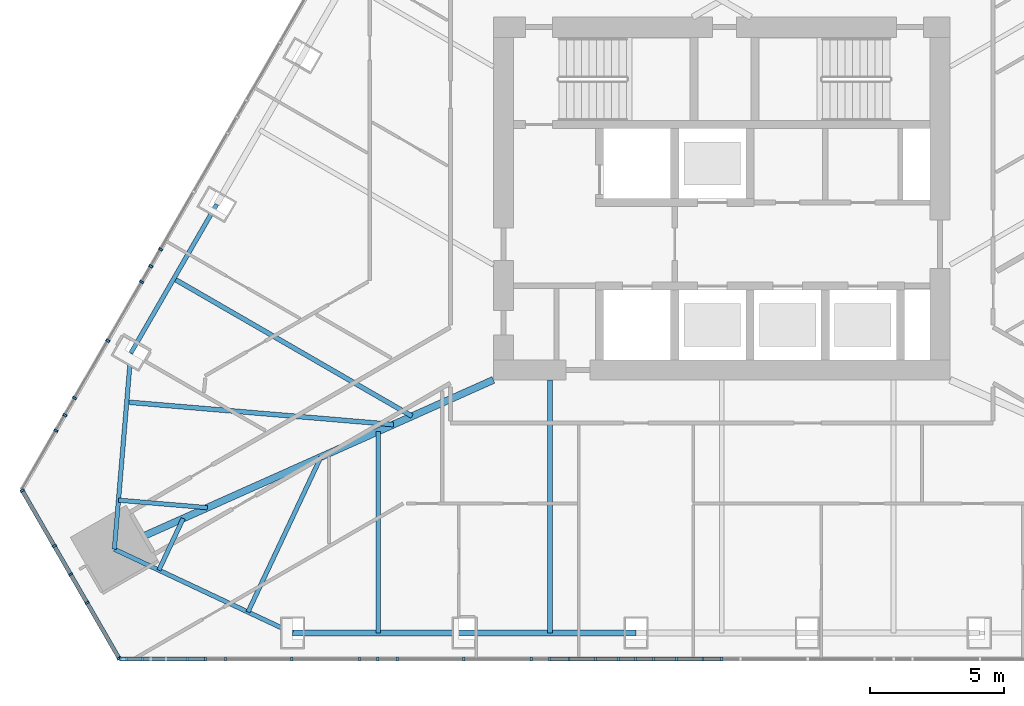
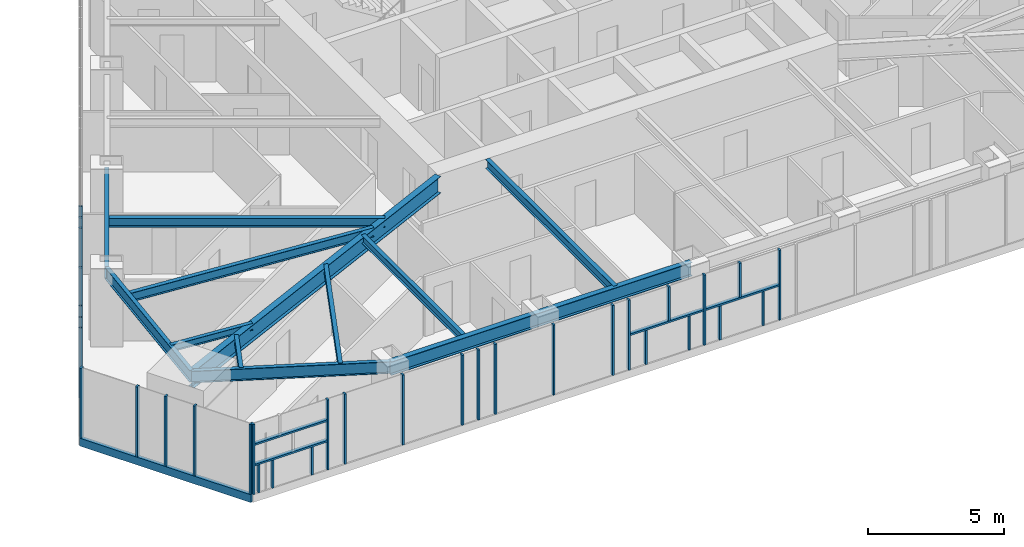
# One storey, part 2 of 26: 38 members, 12 beams, 3 elements without a shape of their own.
"""IFC4 building model written with IfcOpenShell, lengths in metres."""

from ifc_helpers import new_model, si_unit, direction, frame, origin, origin_2d, place, context, subcontext, project, spatial, rectangle, i_section, extrude, material, layer, layer_set, material_profile, profile_set, type_object, element, aggregate, save


model = new_model("IFC4")

# Units and contexts
model_context = context("Model", 3, precision=1e-05, world=origin(), true_north=direction((0.0, 1.0)))
body_context = subcontext(model_context, "Body", "Model", "MODEL_VIEW")
ifc_project = project(units=[si_unit("LENGTHUNIT", "METRE"), si_unit("AREAUNIT", "SQUARE_METRE"), si_unit("VOLUMEUNIT", "CUBIC_METRE"), si_unit("PLANEANGLEUNIT", "RADIAN"), si_unit("MASSUNIT", "GRAM", prefix="KILO")], contexts=[model_context])

# Site, building, storey
site_placement = place(None, origin())
site = spatial("IfcSite", under=ifc_project, at=site_placement, CompositionType="ELEMENT")
building_placement = place(site_placement, origin())
building = spatial("IfcBuilding", under=site, at=building_placement, Name="Firuza Gate Tower and Library", CompositionType="ELEMENT")
storey_placement = place(building_placement, frame((0.0, 0.0, 288.10009765625)))
storey = spatial("IfcBuildingStorey", under=building, at=storey_placement, Name="L69", CompositionType="ELEMENT", Elevation=288.10009765625)

# Curtain wall, members
ifc_material_1 = material(Name="Aluminium 6063-T6", Category="aluminium")
ifc_layer_1 = layer(ifc_material_1, 0.14990234375)
ifc_layer_set_1 = layer_set([ifc_layer_1], Name="Unitised curtain wall, residences")
curtain_wall_type_1 = type_object("IfcCurtainWallType", Name="Unitised curtain wall, residences", PredefinedType="NOTDEFINED", material=ifc_layer_set_1)
placement = place(storey_placement, origin())
curtain_wall_1 = element("IfcCurtainWall", 1, at=placement, inside=storey, type_object=curtain_wall_type_1, Name="CW3 L69 S face", PredefinedType="NOTDEFINED")
ifc_material_2 = material(Name="Aluminium 6063-T6", Category="aluminium")
ifc_material_profile_1 = material_profile(ifc_material_2, rectangle(XDim=0.14990234375, YDim=0.080078125, at=origin_2d()))
ifc_profile_set_1 = profile_set([ifc_material_profile_1], Name="Aluminium 6063-T6")
member_type_1 = type_object("IfcMemberType", Name="Curtain wall mullion 80x150", PredefinedType="MULLION", material=ifc_profile_set_1)
member_1_placement = place(storey_placement, frame((52.634033203125, 57.85693359375, 0.14990234375), z_axis=(0.0, 0.0, 1.0), x_axis=(0.0, 1.0, 0.0)))
member_1 = element("IfcMember", 2, at=member_1_placement, type_object=member_type_1, Name="Mullion", PredefinedType="MULLION", context=body_context, shape_type="SweptSolid", body=[
    extrude(rectangle(XDim=0.14990234375, YDim=0.080078125, at=origin_2d()), origin(), (0.0, 0.0, 1.0), 3.14990234375),
])
member_2_placement = place(storey_placement, frame((55.794921875, 57.85693359375, 0.14990234375), z_axis=(0.0, 0.0, 1.0), x_axis=(0.0, 1.0, 0.0)))
member_2 = element("IfcMember", 3, at=member_2_placement, type_object=member_type_1, Name="Mullion", PredefinedType="MULLION", context=body_context, shape_type="SweptSolid", body=[
    extrude(rectangle(XDim=0.14990234375, YDim=0.080078125, at=origin_2d()), origin(), (0.0, 0.0, 1.0), 3.14990234375),
])
member_3_placement = place(storey_placement, frame((58.995849609375, 57.85693359375, 0.14990234375), z_axis=(0.0, 0.0, 1.0), x_axis=(0.0, 1.0, 0.0)))
member_3 = element("IfcMember", 4, at=member_3_placement, type_object=member_type_1, Name="Mullion", PredefinedType="MULLION", context=body_context, shape_type="SweptSolid", body=[
    extrude(rectangle(XDim=0.14990234375, YDim=0.080078125, at=origin_2d()), origin(), (0.0, 0.0, 1.0), 3.14990234375),
])
member_4_placement = place(storey_placement, frame((62.196533203125, 57.85693359375, 0.14990234375), z_axis=(0.0, 0.0, 1.0), x_axis=(0.0, 1.0, 0.0)))
member_4 = element("IfcMember", 5, at=member_4_placement, type_object=member_type_1, Name="Mullion", PredefinedType="MULLION", context=body_context, shape_type="SweptSolid", body=[
    extrude(rectangle(XDim=0.14990234375, YDim=0.080078125, at=origin_2d()), origin(), (0.0, 0.0, 1.0), 3.14990234375),
])
member_5_placement = place(storey_placement, frame((65.3974609375, 57.85693359375, 0.14990234375), z_axis=(0.0, 0.0, 1.0), x_axis=(0.0, 1.0, 0.0)))
member_5 = element("IfcMember", 6, at=member_5_placement, type_object=member_type_1, Name="Mullion", PredefinedType="MULLION", context=body_context, shape_type="SweptSolid", body=[
    extrude(rectangle(XDim=0.14990234375, YDim=0.080078125, at=origin_2d()), origin(), (0.0, 0.0, 1.0), 3.14990234375),
])
member_6_placement = place(storey_placement, frame((68.598388671875, 57.85693359375, 0.14990234375), z_axis=(0.0, 0.0, 1.0), x_axis=(0.0, 1.0, 0.0)))
member_6 = element("IfcMember", 7, at=member_6_placement, type_object=member_type_1, Name="Mullion", PredefinedType="MULLION", context=body_context, shape_type="SweptSolid", body=[
    extrude(rectangle(XDim=0.14990234375, YDim=0.080078125, at=origin_2d()), origin(), (0.0, 0.0, 1.0), 3.14990234375),
])
member_7_placement = place(storey_placement, frame((71.799072265625, 57.85693359375, 0.14990234375), z_axis=(0.0, 0.0, 1.0), x_axis=(0.0, 1.0, 0.0)))
member_7 = element("IfcMember", 8, at=member_7_placement, type_object=member_type_1, Name="Mullion", PredefinedType="MULLION", context=body_context, shape_type="SweptSolid", body=[
    extrude(rectangle(XDim=0.14990234375, YDim=0.080078125, at=origin_2d()), origin(), (0.0, 0.0, 1.0), 3.14990234375),
])
member_8_placement = place(storey_placement, frame((75.0, 57.85693359375, 0.14990234375), z_axis=(0.0, 0.0, 1.0), x_axis=(0.0, 1.0, 0.0)))
member_8 = element("IfcMember", 9, at=member_8_placement, type_object=member_type_1, Name="Mullion", PredefinedType="MULLION", context=body_context, shape_type="SweptSolid", body=[
    extrude(rectangle(XDim=0.14990234375, YDim=0.080078125, at=origin_2d()), origin(), (0.0, 0.0, 1.0), 3.14990234375),
])
member_9_placement = place(storey_placement, frame((52.860107421875, 57.85693359375, 0.14990234375), z_axis=(0.0, 0.0, 1.0), x_axis=(0.0, 1.0, 0.0)))
member_9 = element("IfcMember", 10, at=member_9_placement, type_object=member_type_1, Name="Mullion", PredefinedType="MULLION", context=body_context, shape_type="SweptSolid", body=[
    extrude(rectangle(XDim=0.14990234375, YDim=0.080078125, at=origin_2d()), origin(), (0.0, 0.0, 1.0), 1.260009765625),
])
member_10_placement = place(storey_placement, frame((53.454345703125, 57.85693359375, 0.14990234375), z_axis=(0.0, 0.0, 1.0), x_axis=(0.0, 1.0, 0.0)))
member_10 = element("IfcMember", 11, at=member_10_placement, type_object=member_type_1, Name="Mullion", PredefinedType="MULLION", context=body_context, shape_type="SweptSolid", body=[
    extrude(rectangle(XDim=0.14990234375, YDim=0.080078125, at=origin_2d()), origin(), (0.0, 0.0, 1.0), 1.260009765625),
])
member_11_placement = place(storey_placement, frame((55.130615234375, 57.85693359375, 0.14990234375), z_axis=(0.0, 0.0, 1.0), x_axis=(0.0, 1.0, 0.0)))
member_11 = element("IfcMember", 12, at=member_11_placement, type_object=member_type_1, Name="Mullion", PredefinedType="MULLION", context=body_context, shape_type="SweptSolid", body=[
    extrude(rectangle(XDim=0.14990234375, YDim=0.080078125, at=origin_2d()), origin(), (0.0, 0.0, 1.0), 1.260009765625),
])
member_12_placement = place(storey_placement, frame((56.533447265625, 57.85693359375, 0.14990234375), z_axis=(0.0, 0.0, 1.0), x_axis=(0.0, 1.0, 0.0)))
member_12 = element("IfcMember", 13, at=member_12_placement, type_object=member_type_1, Name="Mullion", PredefinedType="MULLION", context=body_context, shape_type="SweptSolid", body=[
    extrude(rectangle(XDim=0.14990234375, YDim=0.080078125, at=origin_2d()), origin(), (0.0, 0.0, 1.0), 3.14990234375),
])
member_13_placement = place(storey_placement, frame((61.519775390625, 57.85693359375, 0.14990234375), z_axis=(0.0, 0.0, 1.0), x_axis=(0.0, 1.0, 0.0)))
member_13 = element("IfcMember", 14, at=member_13_placement, type_object=member_type_1, Name="Mullion", PredefinedType="MULLION", context=body_context, shape_type="SweptSolid", body=[
    extrude(rectangle(XDim=0.14990234375, YDim=0.080078125, at=origin_2d()), origin(), (0.0, 0.0, 1.0), 3.14990234375),
])
member_14_placement = place(storey_placement, frame((62.9228515625, 57.85693359375, 0.14990234375), z_axis=(0.0, 0.0, 1.0), x_axis=(0.0, 1.0, 0.0)))
member_14 = element("IfcMember", 15, at=member_14_placement, type_object=member_type_1, Name="Mullion", PredefinedType="MULLION", context=body_context, shape_type="SweptSolid", body=[
    extrude(rectangle(XDim=0.14990234375, YDim=0.080078125, at=origin_2d()), origin(), (0.0, 0.0, 1.0), 3.14990234375),
])
member_15_placement = place(storey_placement, frame((67.9091796875, 57.85693359375, 0.14990234375), z_axis=(0.0, 0.0, 1.0), x_axis=(0.0, 1.0, 0.0)))
member_15 = element("IfcMember", 16, at=member_15_placement, type_object=member_type_1, Name="Mullion", PredefinedType="MULLION", context=body_context, shape_type="SweptSolid", body=[
    extrude(rectangle(XDim=0.14990234375, YDim=0.080078125, at=origin_2d()), origin(), (0.0, 0.0, 1.0), 3.14990234375),
])
member_16_placement = place(storey_placement, frame((69.31201171875, 57.85693359375, 0.14990234375), z_axis=(0.0, 0.0, 1.0), x_axis=(0.0, 1.0, 0.0)))
member_16 = element("IfcMember", 17, at=member_16_placement, type_object=member_type_1, Name="Mullion", PredefinedType="MULLION", context=body_context, shape_type="SweptSolid", body=[
    extrude(rectangle(XDim=0.14990234375, YDim=0.080078125, at=origin_2d()), origin(), (0.0, 0.0, 1.0), 1.534912109375),
])
member_17_placement = place(storey_placement, frame((71.155517578125, 57.85693359375, 0.14990234375), z_axis=(0.0, 0.0, 1.0), x_axis=(0.0, 1.0, 0.0)))
member_17 = element("IfcMember", 18, at=member_17_placement, type_object=member_type_1, Name="Mullion", PredefinedType="MULLION", context=body_context, shape_type="SweptSolid", body=[
    extrude(rectangle(XDim=0.14990234375, YDim=0.080078125, at=origin_2d()), origin(), (0.0, 0.0, 1.0), 1.534912109375),
])
member_18_placement = place(storey_placement, frame((70.294921875, 57.85693359375, 1.764892578125), z_axis=(0.0, 0.0, 1.0), x_axis=(0.0, 1.0, 0.0)))
member_18 = element("IfcMember", 19, at=member_18_placement, type_object=member_type_1, Name="Mullion", PredefinedType="MULLION", context=body_context, shape_type="SweptSolid", body=[
    extrude(rectangle(XDim=0.14990234375, YDim=0.080078125, at=origin_2d()), origin(), (0.0, 0.0, 1.0), 1.534912109375),
])
member_19_placement = place(storey_placement, frame((72.455078125, 57.85693359375, 0.14990234375), z_axis=(0.0, 0.0, 1.0), x_axis=(0.0, 1.0, 0.0)))
member_19 = element("IfcMember", 20, at=member_19_placement, type_object=member_type_1, Name="Mullion", PredefinedType="MULLION", context=body_context, shape_type="SweptSolid", body=[
    extrude(rectangle(XDim=0.14990234375, YDim=0.080078125, at=origin_2d()), origin(), (0.0, 0.0, 1.0), 1.534912109375),
])
member_20_placement = place(storey_placement, frame((74.298583984375, 57.85693359375, 0.14990234375), z_axis=(0.0, 0.0, 1.0), x_axis=(0.0, 1.0, 0.0)))
member_20 = element("IfcMember", 21, at=member_20_placement, type_object=member_type_1, Name="Mullion", PredefinedType="MULLION", context=body_context, shape_type="SweptSolid", body=[
    extrude(rectangle(XDim=0.14990234375, YDim=0.080078125, at=origin_2d()), origin(), (0.0, 0.0, 1.0), 1.534912109375),
])
member_21_placement = place(storey_placement, frame((73.31591796875, 57.85693359375, 1.764892578125), z_axis=(0.0, 0.0, 1.0), x_axis=(0.0, 1.0, 0.0)))
member_21 = element("IfcMember", 22, at=member_21_placement, type_object=member_type_1, Name="Mullion", PredefinedType="MULLION", context=body_context, shape_type="SweptSolid", body=[
    extrude(rectangle(XDim=0.14990234375, YDim=0.080078125, at=origin_2d()), origin(), (0.0, 0.0, 1.0), 1.534912109375),
])

curtain_wall_2 = element("IfcCurtainWall", 23, at=placement, inside=storey, type_object=curtain_wall_type_1, Name="CW3 L69 W face", PredefinedType="NOTDEFINED")
member_22_placement = place(storey_placement, frame((53.751953125, 72.4833984375, 0.14990234375), z_axis=(0.0, 0.0, 1.0), x_axis=(0.866025403784, -0.5, 0.0)))
member_22 = element("IfcMember", 24, at=member_22_placement, type_object=member_type_1, Name="Mullion", PredefinedType="MULLION", context=body_context, shape_type="SweptSolid", body=[
    extrude(rectangle(XDim=0.14990234375, YDim=0.080078125, at=origin_2d()), origin(), (0.0, 0.0, 1.0), 3.14990234375),
])
member_23_placement = place(storey_placement, frame((52.151611328125, 69.71142578125, 0.14990234375), z_axis=(0.0, 0.0, 1.0), x_axis=(0.866025403784, -0.5, 0.0)))
member_23 = element("IfcMember", 25, at=member_23_placement, type_object=member_type_1, Name="Mullion", PredefinedType="MULLION", context=body_context, shape_type="SweptSolid", body=[
    extrude(rectangle(XDim=0.14990234375, YDim=0.080078125, at=origin_2d()), origin(), (0.0, 0.0, 1.0), 3.14990234375),
])
member_24_placement = place(storey_placement, frame((50.55126953125, 66.939453125, 0.14990234375), z_axis=(0.0, 0.0, 1.0), x_axis=(0.866025403784, -0.5, 0.0)))
member_24 = element("IfcMember", 26, at=member_24_placement, type_object=member_type_1, Name="Mullion", PredefinedType="MULLION", context=body_context, shape_type="SweptSolid", body=[
    extrude(rectangle(XDim=0.14990234375, YDim=0.080078125, at=origin_2d()), origin(), (0.0, 0.0, 1.0), 3.14990234375),
])
member_25_placement = place(storey_placement, frame((54.114990234375, 73.1123046875, 0.14990234375), z_axis=(0.0, 0.0, 1.0), x_axis=(0.866025403784, -0.5, 0.0)))
member_25 = element("IfcMember", 27, at=member_25_placement, type_object=member_type_1, Name="Mullion", PredefinedType="MULLION", context=body_context, shape_type="SweptSolid", body=[
    extrude(rectangle(XDim=0.14990234375, YDim=0.080078125, at=origin_2d()), origin(), (0.0, 0.0, 1.0), 3.14990234375),
])
member_26_placement = place(storey_placement, frame((53.41357421875, 71.8974609375, 0.14990234375), z_axis=(0.0, 0.0, 1.0), x_axis=(0.866025403784, -0.5, 0.0)))
member_26 = element("IfcMember", 28, at=member_26_placement, type_object=member_type_1, Name="Mullion", PredefinedType="MULLION", context=body_context, shape_type="SweptSolid", body=[
    extrude(rectangle(XDim=0.14990234375, YDim=0.080078125, at=origin_2d()), origin(), (0.0, 0.0, 1.0), 3.14990234375),
])
member_27_placement = place(storey_placement, frame((50.92041015625, 67.5791015625, 0.14990234375), z_axis=(0.0, 0.0, 1.0), x_axis=(0.866025403784, -0.5, 0.0)))
member_27 = element("IfcMember", 29, at=member_27_placement, type_object=member_type_1, Name="Mullion", PredefinedType="MULLION", context=body_context, shape_type="SweptSolid", body=[
    extrude(rectangle(XDim=0.14990234375, YDim=0.080078125, at=origin_2d()), origin(), (0.0, 0.0, 1.0), 3.14990234375),
])
member_28_placement = place(storey_placement, frame((50.218994140625, 66.364013671875, 0.14990234375), z_axis=(0.0, 0.0, 1.0), x_axis=(0.866025403784, -0.5, 0.0)))
member_28 = element("IfcMember", 30, at=member_28_placement, type_object=member_type_1, Name="Mullion", PredefinedType="MULLION", context=body_context, shape_type="SweptSolid", body=[
    extrude(rectangle(XDim=0.14990234375, YDim=0.080078125, at=origin_2d()), origin(), (0.0, 0.0, 1.0), 3.14990234375),
])
aggregate(curtain_wall_2, [member_22, member_23, member_24, member_25, member_26, member_27, member_28])

ifc_material_3 = material(Name="Aluminium 6063-T6", Category="aluminium")
ifc_layer_2 = layer(ifc_material_3, 0.14990234375)
ifc_layer_set_2 = layer_set([ifc_layer_2], Name="Corner curtain wall, chamfers")
curtain_wall_type_2 = type_object("IfcCurtainWallType", Name="Corner curtain wall, chamfers", PredefinedType="NOTDEFINED", material=ifc_layer_set_2)
curtain_wall_3 = element("IfcCurtainWall", 31, at=placement, inside=storey, type_object=curtain_wall_type_2, Name="CW4 L69 SW corner", PredefinedType="NOTDEFINED")
member_29_placement = place(storey_placement, frame((48.970703125, 64.1328125, 0.14990234375), z_axis=(0.0, 0.0, 1.0), x_axis=(0.866025403784, 0.5, 0.0)))
member_29 = element("IfcMember", 32, at=member_29_placement, type_object=member_type_1, Name="Mullion", PredefinedType="MULLION", context=body_context, shape_type="SweptSolid", body=[
    extrude(rectangle(XDim=0.14990234375, YDim=0.080078125, at=origin_2d()), origin(), (0.0, 0.0, 1.0), 3.14990234375),
])
member_30_placement = place(storey_placement, frame((50.7724609375, 61.01220703125, 0.14990234375), z_axis=(0.0, 0.0, 1.0), x_axis=(0.866025403784, 0.5, 0.0)))
member_30 = element("IfcMember", 33, at=member_30_placement, type_object=member_type_1, Name="Mullion", PredefinedType="MULLION", context=body_context, shape_type="SweptSolid", body=[
    extrude(rectangle(XDim=0.14990234375, YDim=0.080078125, at=origin_2d()), origin(), (0.0, 0.0, 1.0), 3.14990234375),
])
member_31_placement = place(storey_placement, frame((52.573974609375, 57.8916015625, 0.14990234375), z_axis=(0.0, 0.0, 1.0), x_axis=(0.866025403784, 0.5, 0.0)))
member_31 = element("IfcMember", 34, at=member_31_placement, type_object=member_type_1, Name="Mullion", PredefinedType="MULLION", context=body_context, shape_type="SweptSolid", body=[
    extrude(rectangle(XDim=0.14990234375, YDim=0.080078125, at=origin_2d()), origin(), (0.0, 0.0, 1.0), 3.14990234375),
])
member_32_placement = place(storey_placement, frame((50.161376953125, 62.070556640625, 0.14990234375), z_axis=(0.0, 0.0, 1.0), x_axis=(0.866025403784, 0.5, 0.0)))
member_32 = element("IfcMember", 35, at=member_32_placement, type_object=member_type_1, Name="Mullion", PredefinedType="MULLION", context=body_context, shape_type="SweptSolid", body=[
    extrude(rectangle(XDim=0.14990234375, YDim=0.080078125, at=origin_2d()), origin(), (0.0, 0.0, 1.0), 3.14990234375),
])
member_33_placement = place(storey_placement, frame((51.383544921875, 59.953857421875, 0.14990234375), z_axis=(0.0, 0.0, 1.0), x_axis=(0.866025403784, 0.5, 0.0)))
member_33 = element("IfcMember", 36, at=member_33_placement, type_object=member_type_1, Name="Mullion", PredefinedType="MULLION", context=body_context, shape_type="SweptSolid", body=[
    extrude(rectangle(XDim=0.14990234375, YDim=0.080078125, at=origin_2d()), origin(), (0.0, 0.0, 1.0), 3.14990234375),
])
ifc_material_4 = material(Name="Aluminium 6063-T6", Category="aluminium")
ifc_material_profile_2 = material_profile(ifc_material_4, rectangle(XDim=0.14990234375, YDim=0.35009765625, at=origin_2d()))
ifc_profile_set_2 = profile_set([ifc_material_profile_2], Name="Aluminium 6063-T6")
member_type_2 = type_object("IfcMemberType", Name="Curtain wall transom 350x150", PredefinedType="USERDEFINED", material=ifc_profile_set_2)
member_34_placement = place(storey_placement, frame((48.95068359375, 64.16748046875, -0.025146484375), z_axis=(0.499991211061, -0.866030478021, 0.0), x_axis=(0.866030478021, 0.499991211061, 0.0)))
member_34 = element("IfcMember", 37, at=member_34_placement, type_object=member_type_2, Name="Transom", ObjectType="TRANSOM", PredefinedType="USERDEFINED", context=body_context, shape_type="SweptSolid", body=[
    extrude(rectangle(XDim=0.14990234375, YDim=0.35009765625, at=origin_2d()), origin(), (0.0, 0.0, 1.0), 7.286865234375),
])
aggregate(curtain_wall_3, [member_29, member_30, member_31, member_34, member_32, member_33])

# Member
ifc_material_5 = material(Name="Aluminium 6063-T6", Category="aluminium")
ifc_material_profile_3 = material_profile(ifc_material_5, rectangle(XDim=0.14990234375, YDim=0.080078125, at=origin_2d()))
ifc_profile_set_3 = profile_set([ifc_material_profile_3], Name="Aluminium 6063-T6")
member_type_3 = type_object("IfcMemberType", Name="Curtain wall transom 80x150", PredefinedType="USERDEFINED", material=ifc_profile_set_3)
member_35_placement = place(storey_placement, frame((52.634033203125, 57.85693359375, 1.449951171875), z_axis=(1.0, 0.0, 0.0), x_axis=(0.0, 1.0, 0.0)))
member_35 = element("IfcMember", 38, at=member_35_placement, type_object=member_type_3, Name="Transom", ObjectType="TRANSOM", PredefinedType="USERDEFINED", context=body_context, shape_type="SweptSolid", body=[
    extrude(rectangle(XDim=0.14990234375, YDim=0.080078125, at=origin_2d()), origin(), (0.0, 0.0, 1.0), 3.120849609375),
])

member_36_placement = place(storey_placement, frame((52.634033203125, 57.85693359375, 2.375), z_axis=(1.0, 0.0, 0.0), x_axis=(0.0, 1.0, 0.0)))
member_36 = element("IfcMember", 39, at=member_36_placement, type_object=member_type_3, Name="Transom", ObjectType="TRANSOM", PredefinedType="USERDEFINED", context=body_context, shape_type="SweptSolid", body=[
    extrude(rectangle(XDim=0.14990234375, YDim=0.080078125, at=origin_2d()), origin(), (0.0, 0.0, 1.0), 3.120849609375),
])

member_37_placement = place(storey_placement, frame((68.63818359375, 57.85693359375, 1.724853515625), z_axis=(1.0, 0.0, 0.0), x_axis=(0.0, 1.0, 0.0)))
member_37 = element("IfcMember", 40, at=member_37_placement, type_object=member_type_3, Name="Transom", ObjectType="TRANSOM", PredefinedType="USERDEFINED", context=body_context, shape_type="SweptSolid", body=[
    extrude(rectangle(XDim=0.14990234375, YDim=0.080078125, at=origin_2d()), origin(), (0.0, 0.0, 1.0), 3.120849609375),
])

member_38_placement = place(storey_placement, frame((71.839111328125, 57.85693359375, 1.724853515625), z_axis=(1.0, 0.0, 0.0), x_axis=(0.0, 1.0, 0.0)))
member_38 = element("IfcMember", 41, at=member_38_placement, type_object=member_type_3, Name="Transom", ObjectType="TRANSOM", PredefinedType="USERDEFINED", context=body_context, shape_type="SweptSolid", body=[
    extrude(rectangle(XDim=0.14990234375, YDim=0.080078125, at=origin_2d()), origin(), (0.0, 0.0, 1.0), 3.120849609375),
])

aggregate(curtain_wall_1, [member_1, member_2, member_3, member_4, member_5, member_6, member_7, member_8, member_9, member_10, member_11, member_35, member_36, member_12, member_13, member_14, member_15, member_16, member_17, member_18, member_37, member_19, member_20, member_21, member_38])

# Beams
ifc_material_6 = material(Name="Steel S355", Category="steel")
ifc_material_profile_4 = material_profile(ifc_material_6, i_section(OverallWidth=0.1650390625, OverallDepth=0.31005859375, WebThickness=0.005859375, FlangeThickness=0.009765625, at=origin_2d()))
ifc_profile_set_4 = profile_set([ifc_material_profile_4], Name="Steel S355")
beam_type_1 = type_object("IfcBeamType", Name="W310x39 Floor beam", PredefinedType="JOIST", material=ifc_profile_set_4)
beam_1_placement = place(storey_placement, frame((52.550048828125, 63.77490234375, 3.14501953125), z_axis=(0.996467212931, -0.083982697946, 0.0), x_axis=(0.083982697946, 0.996467212931, 0.0)))
element("IfcBeam", 42, at=beam_1_placement, inside=storey, type_object=beam_type_1, Name="Floor beam L69 s01", PredefinedType="JOIST", context=body_context, shape_type="SweptSolid", body=[
    extrude(i_section(OverallWidth=0.1650390625, OverallDepth=0.31005859375, WebThickness=0.005859375, FlangeThickness=0.009765625, at=origin_2d()), origin(), (0.0, 0.0, 1.0), 3.31982421875),
])
beam_2_placement = place(storey_placement, frame((54.0537109375, 61.170166015625, 3.14501953125), z_axis=(0.425542647258, 0.904938371031, 0.0), x_axis=(-0.904938371031, 0.425542647258, 0.0)))
element("IfcBeam", 43, at=beam_2_placement, inside=storey, type_object=beam_type_1, Name="Floor beam L69 s10", PredefinedType="JOIST", context=body_context, shape_type="SweptSolid", body=[
    extrude(i_section(OverallWidth=0.1650390625, OverallDepth=0.31005859375, WebThickness=0.005859375, FlangeThickness=0.009765625, at=origin_2d()), origin(), (0.0, 0.0, 1.0), 2.126220703125),
])
beam_3_placement = place(storey_placement, frame((57.369140625, 59.611328125, 3.14501953125), z_axis=(0.425479956194, 0.904967848532, 0.0), x_axis=(-0.904967848532, 0.425479956194, 0.0)))
element("IfcBeam", 44, at=beam_3_placement, inside=storey, type_object=beam_type_1, Name="Floor beam L69 s11", PredefinedType="JOIST", context=body_context, shape_type="SweptSolid", body=[
    extrude(i_section(OverallWidth=0.1650390625, OverallDepth=0.31005859375, WebThickness=0.005859375, FlangeThickness=0.009765625, at=origin_2d()), origin(), (0.0, 0.0, 1.0), 6.37841796875),
])
ifc_material_7 = material(Name="Steel S355", Category="steel")
ifc_material_profile_5 = material_profile(ifc_material_7, i_section(OverallWidth=0.1708984375, OverallDepth=0.35498046875, WebThickness=0.007080078125, FlangeThickness=0.01171875, at=origin_2d()))
ifc_profile_set_5 = profile_set([ifc_material_profile_5], Name="Steel S355")
beam_type_2 = type_object("IfcBeamType", Name="W360x51 Floor beam", PredefinedType="JOIST", material=ifc_profile_set_5)
beam_4_placement = place(storey_placement, frame((62.221435546875, 58.83203125, 3.122314453125), z_axis=(0.0, 1.0, 0.0), x_axis=(-1.0, 0.0, 0.0)))
element("IfcBeam", 45, at=beam_4_placement, inside=storey, type_object=beam_type_2, Name="Floor beam L69 s20", PredefinedType="JOIST", context=body_context, shape_type="SweptSolid", body=[
    extrude(i_section(OverallWidth=0.1708984375, OverallDepth=0.35498046875, WebThickness=0.007080078125, FlangeThickness=0.01171875, at=origin_2d()), origin(), (0.0, 0.0, 1.0), 7.506591796875),
])
ifc_material_8 = material(Name="Steel S355", Category="steel")
ifc_material_profile_6 = material_profile(ifc_material_8, i_section(OverallWidth=0.177978515625, OverallDepth=0.406982421875, WebThickness=0.0078125, FlangeThickness=0.0126953125, at=origin_2d()))
ifc_profile_set_6 = profile_set([ifc_material_profile_6], Name="Steel S355")
beam_type_3 = type_object("IfcBeamType", Name="W410x60 Floor beam", PredefinedType="JOIST", material=ifc_profile_set_6)
beam_5_placement = place(storey_placement, frame((52.857666015625, 67.425537109375, 3.096435546875), z_axis=(0.996467212931, -0.083982697946, 0.0), x_axis=(0.083982697946, 0.996467212931, 0.0)))
element("IfcBeam", 46, at=beam_5_placement, inside=storey, type_object=beam_type_3, Name="Floor beam L69 s00", PredefinedType="JOIST", context=body_context, shape_type="SweptSolid", body=[
    extrude(i_section(OverallWidth=0.177978515625, OverallDepth=0.406982421875, WebThickness=0.0078125, FlangeThickness=0.0126953125, at=origin_2d()), origin(), (0.0, 0.0, 1.0), 9.95947265625),
])
beam_6_placement = place(storey_placement, frame((68.610595703125, 58.83203125, 3.096435546875), z_axis=(0.0, 1.0, 0.0), x_axis=(-1.0, 0.0, 0.0)))
element("IfcBeam", 47, at=beam_6_placement, inside=storey, type_object=beam_type_3, Name="Floor beam L69 s21", PredefinedType="JOIST", context=body_context, shape_type="SweptSolid", body=[
    extrude(i_section(OverallWidth=0.177978515625, OverallDepth=0.406982421875, WebThickness=0.0078125, FlangeThickness=0.0126953125, at=origin_2d()), origin(), (0.0, 0.0, 1.0), 9.41796875),
])
beam_7_placement = place(storey_placement, frame((54.608642578125, 72.017333984375, 3.096435546875), z_axis=(0.866036270578, -0.499981177689, 0.0), x_axis=(0.499981177689, 0.866036270578, 0.0)))
element("IfcBeam", 48, at=beam_7_placement, inside=storey, type_object=beam_type_3, Name="Floor beam L69 s84", PredefinedType="JOIST", context=body_context, shape_type="SweptSolid", body=[
    extrude(i_section(OverallWidth=0.177978515625, OverallDepth=0.406982421875, WebThickness=0.0078125, FlangeThickness=0.0126953125, at=origin_2d()), origin(), (0.0, 0.0, 1.0), 10.23779296875),
])
ifc_material_9 = material(Name="Steel S355", Category="steel")
ifc_material_profile_7 = material_profile(ifc_material_9, i_section(OverallWidth=0.166015625, OverallDepth=0.534912109375, WebThickness=0.01025390625, FlangeThickness=0.0166015625, at=origin_2d()))
ifc_profile_set_7 = profile_set([ifc_material_profile_7], Name="Steel S355")
beam_type_4 = type_object("IfcBeamType", Name="W530x85 Edge beam", PredefinedType="SPANDREL", material=ifc_profile_set_7)
beam_8_placement = place(storey_placement, frame((53.011474609375, 69.250732421875, 3.032470703125), z_axis=(-0.083969243734, -0.996468346766, 0.0), x_axis=(0.996468346766, -0.083969243734, 0.0)))
element("IfcBeam", 49, at=beam_8_placement, inside=storey, type_object=beam_type_4, Name="Edge beam L69 e00", PredefinedType="SPANDREL", context=body_context, shape_type="SweptSolid", body=[
    extrude(i_section(OverallWidth=0.166015625, OverallDepth=0.534912109375, WebThickness=0.01025390625, FlangeThickness=0.0166015625, at=origin_2d()), origin(), (0.0, 0.0, 1.0), 7.326904296875),
])
beam_9_placement = place(storey_placement, frame((52.396240234375, 61.94970703125, 3.032470703125), z_axis=(0.904950057905, -0.425517793632, 0.0), x_axis=(0.425517793632, 0.904950057905, 0.0)))
element("IfcBeam", 50, at=beam_9_placement, inside=storey, type_object=beam_type_4, Name="Edge beam L69 e10", PredefinedType="SPANDREL", context=body_context, shape_type="SweptSolid", body=[
    extrude(i_section(OverallWidth=0.166015625, OverallDepth=0.534912109375, WebThickness=0.01025390625, FlangeThickness=0.0166015625, at=origin_2d()), origin(), (0.0, 0.0, 1.0), 7.32666015625),
])
beam_10_placement = place(storey_placement, frame((56.2060546875, 74.783935546875, 3.032470703125), z_axis=(-0.499998094172, -0.866026504112, 0.0), x_axis=(0.866026504112, -0.499998094172, 0.0)))
element("IfcBeam", 51, at=beam_10_placement, inside=storey, type_object=beam_type_4, Name="Edge beam L69 e84", PredefinedType="SPANDREL", context=body_context, shape_type="SweptSolid", body=[
    extrude(i_section(OverallWidth=0.166015625, OverallDepth=0.534912109375, WebThickness=0.01025390625, FlangeThickness=0.0166015625, at=origin_2d()), origin(), (0.0, 0.0, 1.0), 6.38916015625),
])
ifc_material_10 = material(Name="Steel S355", Category="steel")
ifc_material_profile_8 = material_profile(ifc_material_10, i_section(OverallWidth=0.22900390625, OverallDepth=0.612060546875, WebThickness=0.011962890625, FlangeThickness=0.01953125, at=origin_2d()))
ifc_profile_set_8 = profile_set([ifc_material_profile_8], Name="Steel S355")
beam_type_5 = type_object("IfcBeamType", Name="W610x125 Edge beam", PredefinedType="SPANDREL", material=ifc_profile_set_8)
beam_11_placement = place(storey_placement, frame((59.026611328125, 58.83203125, 2.993896484375), z_axis=(1.0, 0.0, 0.0), x_axis=(0.0, 1.0, 0.0)))
element("IfcBeam", 52, at=beam_11_placement, inside=storey, type_object=beam_type_5, Name="Edge beam L69 e20", PredefinedType="SPANDREL", context=body_context, shape_type="SweptSolid", body=[
    extrude(i_section(OverallWidth=0.22900390625, OverallDepth=0.612060546875, WebThickness=0.011962890625, FlangeThickness=0.01953125, at=origin_2d()), origin(), (0.0, 0.0, 1.0), 12.77880859375),
])
ifc_material_11 = material(Name="Steel S355", Category="steel")
ifc_material_profile_9 = material_profile(ifc_material_11, i_section(OverallWidth=0.264892578125, OverallDepth=0.7529296875, WebThickness=0.01318359375, FlangeThickness=0.01708984375, at=origin_2d()))
ifc_profile_set_9 = profile_set([ifc_material_profile_9], Name="Steel S355")
beam_type_6 = type_object("IfcBeamType", Name="W760x147 Girder", PredefinedType="BEAM", material=ifc_profile_set_9)
beam_12_placement = place(storey_placement, frame((52.396240234375, 61.94970703125, 2.92333984375), z_axis=(0.913042148656, 0.407865216435, 0.0), x_axis=(-0.407865216435, 0.913042148656, 0.0)))
element("IfcBeam", 53, at=beam_12_placement, inside=storey, type_object=beam_type_6, Name="Girder L69 gSW", PredefinedType="BEAM", context=body_context, shape_type="SweptSolid", body=[
    extrude(i_section(OverallWidth=0.264892578125, OverallDepth=0.7529296875, WebThickness=0.01318359375, FlangeThickness=0.01708984375, at=origin_2d()), origin(), (0.0, 0.0, 1.0), 15.447021484375),
])

save(model, "model.ifc")
